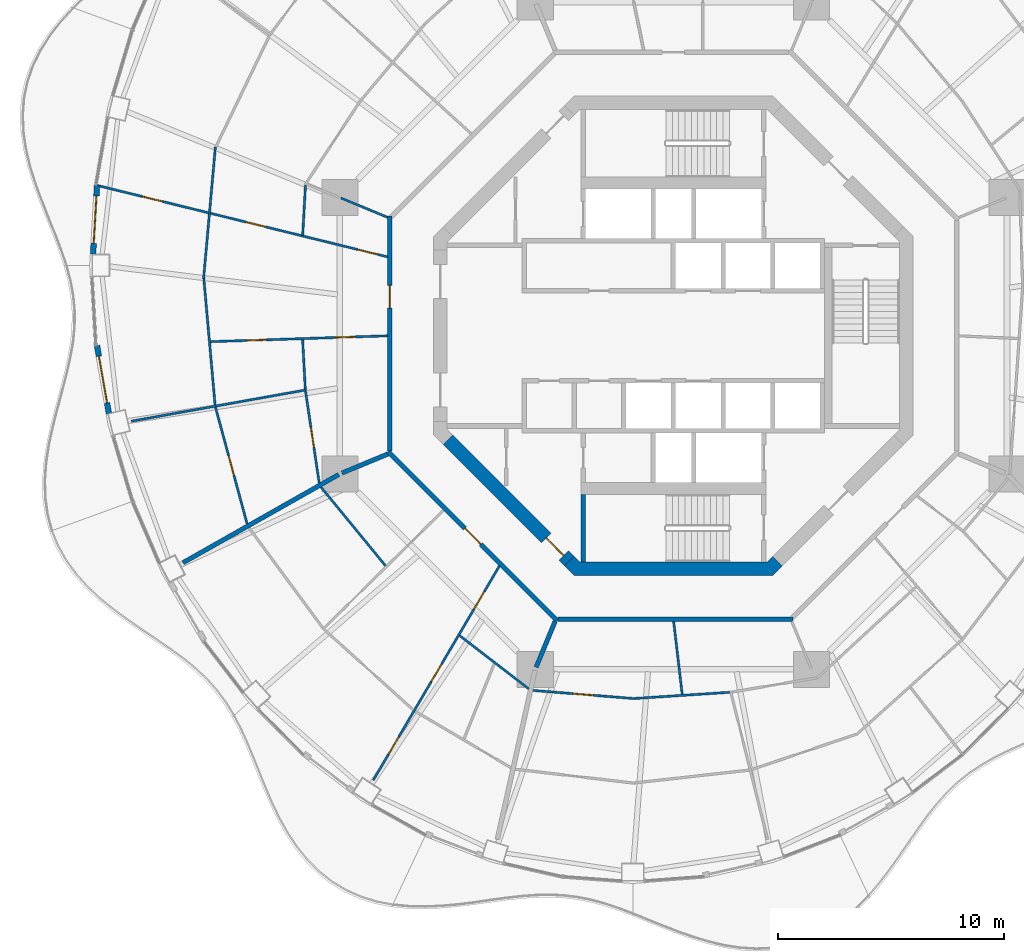
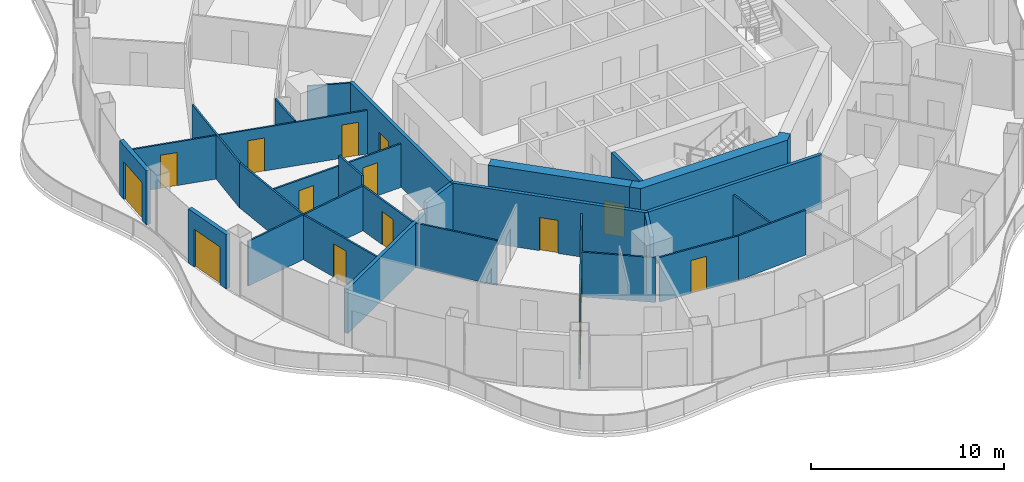
# One storey, part 10 of 18: 27 walls, 16 doors, 16 openings.
"""IFC4 building model written with IfcOpenShell, lengths in metres."""

from ifc_helpers import new_model, si_unit, direction, frame, frame_2d, origin, place, context, subcontext, project, spatial, polyline, rectangle, outline, extrude, material, layer, layer_set, type_object, element, fill, save


model = new_model("IFC4")

# Units and contexts
model_context = context("Model", 3, precision=1e-05, world=origin(), true_north=direction((0.0, 1.0)))
body_context = subcontext(model_context, "Body", "Model", "MODEL_VIEW")
ifc_project = project(units=[si_unit("LENGTHUNIT", "METRE"), si_unit("AREAUNIT", "SQUARE_METRE"), si_unit("VOLUMEUNIT", "CUBIC_METRE"), si_unit("PLANEANGLEUNIT", "RADIAN"), si_unit("MASSUNIT", "GRAM", prefix="KILO")], contexts=[model_context])

# Site, building, storey
site_placement = place(None, origin())
site = spatial("IfcSite", under=ifc_project, at=site_placement, CompositionType="ELEMENT")
building_placement = place(site_placement, origin())
building = spatial("IfcBuilding", under=site, at=building_placement, Name="Nagisa Residences", CompositionType="ELEMENT")
storey_placement = place(building_placement, frame((0.0, 0.0, 238.10009765625)))
storey = spatial("IfcBuildingStorey", under=building, at=storey_placement, Name="L60", CompositionType="ELEMENT", Elevation=238.10009765625)

# Walls
ifc_material_1 = material(Name="Gypsum board on steel studs", Category="steel")
ifc_layer_1 = layer(ifc_material_1, 0.199951171875)
ifc_layer_set_1 = layer_set([ifc_layer_1], Name="Apartment compartment wall EI60 200")
wall_type_1 = type_object("IfcWallType", Name="Apartment compartment wall EI60 200", PredefinedType="PARTITIONING", material=ifc_layer_set_1)
wall_1_placement = place(storey_placement, frame((-12.6572265625, -5.24267578125, 0.0), z_axis=(0.0, 0.0, 1.0), x_axis=(-0.923859888513, -0.38273085373, 0.0)))
element("IfcWall", 1, at=wall_1_placement, inside=storey, type_object=wall_type_1, Name="wall:L60:u02", PredefinedType="PARTITIONING", context=body_context, shape_type="SweptSolid", body=[
    extrude(rectangle(XDim=2.199462890625, YDim=0.199951171875, at=frame_2d((1.099609375, 0.0))), origin(), (0.0, 0.0, 1.0), 3.43994140625),
])
wall_2_placement = place(storey_placement, frame((-14.825439453125, -6.147705078125, 0.0), z_axis=(0.0, 0.0, 1.0), x_axis=(-0.870099576105, -0.492875975944, 0.0)))
element("IfcWall", 2, at=wall_2_placement, inside=storey, type_object=wall_type_1, Name="wall:L60:u03", PredefinedType="PARTITIONING", context=body_context, shape_type="SweptSolid", body=[
    extrude(rectangle(XDim=7.937255859375, YDim=0.199951171875, at=frame_2d((3.96875, 0.0))), origin(), (0.0, 0.0, 1.0), 2.8369140625),
])
wall_3_placement = place(storey_placement, frame((-5.24267578125, -12.6572265625, 0.0), z_axis=(0.0, 0.0, 1.0), x_axis=(-0.382691608661, -0.923876145736, 0.0)))
element("IfcWall", 3, at=wall_3_placement, inside=storey, type_object=wall_type_1, Name="wall:L60:u04", PredefinedType="PARTITIONING", context=body_context, shape_type="SweptSolid", body=[
    extrude(rectangle(XDim=2.19970703125, YDim=0.199951171875, at=frame_2d((1.099853515625, 0.0))), origin(), (0.0, 0.0, 1.0), 3.43994140625),
])

# Wall, opening, door
ifc_material_2 = material(Name="Gypsum board on steel studs", Category="steel")
ifc_layer_2 = layer(ifc_material_2, 0.199951171875)
ifc_layer_set_2 = layer_set([ifc_layer_2], Name="Apartment entry wall EI60 200")
wall_type_2 = type_object("IfcWallType", Name="Apartment entry wall EI60 200", PredefinedType="PARTITIONING", material=ifc_layer_set_2)
wall_4_placement = place(storey_placement, frame((-12.564697265625, 5.304443359375, 0.0), z_axis=(0.0, 0.0, 1.0), x_axis=(0.0, -1.0, 0.0)))
wall_4 = element("IfcWall", 4, at=wall_4_placement, inside=storey, type_object=wall_type_2, Name="wall:L60:u12", PredefinedType="PARTITIONING", context=body_context, shape_type="SweptSolid", body=[
    extrude(rectangle(XDim=10.408935546875, YDim=0.199951171875, at=frame_2d((5.20458984375, 0.0))), origin(), (0.0, 0.0, 1.0), 3.43994140625),
])
opening_1_placement = place(wall_4_placement, frame((3.069580078125, 0.0, 0.0)))
opening_1 = element("IfcOpeningElement", 5, at=opening_1_placement, cuts=wall_4, Name="Opening L60-U40", PredefinedType="OPENING", context=body_context, shape_type="SweptSolid", body=[
    extrude(rectangle(XDim=1.0, YDim=2.10009765625, at=frame_2d((0.5, 1.050048828125))), frame((0.0, 0.10986328125, 0.0), z_axis=(0.0, -1.0, 0.0), x_axis=(1.0, 0.0, 0.0)), (0.0, 0.0, 1.0), 0.219970703125),
])
ifc_material_3 = material(Name="Timber fire door set", Category="wood")
door_type_1 = type_object("IfcDoorType", Name="Apartment entry door FD30S 1000x2100", OperationType="NOTDEFINED", PredefinedType="DOOR", material=ifc_material_3)
door_1_placement = place(opening_1_placement, frame((1.0, 0.0, 0.0), x_axis=(-1.0, 0.0, 0.0)))
door_1 = element("IfcDoor", 6, at=door_1_placement, inside=storey, type_object=door_type_1, Name="Entry door, Apartment 60D", OperationType="SINGLE_SWING_LEFT", OverallHeight=2.10009765625, OverallWidth=1.0, PredefinedType="DOOR", context=body_context, shape_type="SweptSolid", body=[
    extrude(rectangle(XDim=1.0, YDim=2.10009765625, at=frame_2d((0.5, 1.050048828125))), frame((0.0, 0.02490234375, 0.0), z_axis=(0.0, -1.0, 0.0), x_axis=(1.0, 0.0, 0.0)), (0.0, 0.0, 1.0), 0.050048828125),
])
fill(opening_1, door_1)

wall_5_placement = place(storey_placement, frame((-12.635498046875, -5.1337890625, 0.0), z_axis=(0.0, 0.0, 1.0), x_axis=(0.707106781187, -0.707106781187, 0.0)))
wall_5 = element("IfcWall", 7, at=wall_5_placement, inside=storey, type_object=wall_type_2, Name="wall:L60:u13", PredefinedType="PARTITIONING", context=body_context, shape_type="SweptSolid", body=[
    extrude(rectangle(XDim=10.609130859375, YDim=0.199951171875, at=frame_2d((5.3046875, 0.0))), origin(), (0.0, 0.0, 1.0), 3.43994140625),
])
opening_2_placement = place(wall_5_placement, frame((4.804443359375, 0.0, 0.0)))
opening_2 = element("IfcOpeningElement", 8, at=opening_2_placement, cuts=wall_5, Name="Opening L60-U01", PredefinedType="OPENING", context=body_context, shape_type="SweptSolid", body=[
    extrude(rectangle(XDim=1.0, YDim=2.10009765625, at=frame_2d((0.5, 1.050048828125))), frame((0.0, 0.10986328125, 0.0), z_axis=(0.0, -1.0, 0.0), x_axis=(1.0, 0.0, 0.0)), (0.0, 0.0, 1.0), 0.219970703125),
])
door_2_placement = place(opening_2_placement, frame((1.0, 0.0, 0.0), x_axis=(-1.0, 0.0, 0.0)))
door_2 = element("IfcDoor", 9, at=door_2_placement, inside=storey, type_object=door_type_1, Name="Entry door, Apartment 60A", OperationType="SINGLE_SWING_RIGHT", OverallHeight=2.10009765625, OverallWidth=1.0, PredefinedType="DOOR", context=body_context, shape_type="SweptSolid", body=[
    extrude(rectangle(XDim=1.0, YDim=2.10009765625, at=frame_2d((0.5, 1.050048828125))), frame((0.0, 0.02490234375, 0.0), z_axis=(0.0, -1.0, 0.0), x_axis=(1.0, 0.0, 0.0)), (0.0, 0.0, 1.0), 0.050048828125),
])
fill(opening_2, door_2)

# Walls
wall_6_placement = place(storey_placement, frame((-5.1044921875, -12.564697265625, 0.0), z_axis=(0.0, 0.0, 1.0), x_axis=(1.0, 0.0, 0.0)))
element("IfcWall", 10, at=wall_6_placement, inside=storey, type_object=wall_type_2, Name="wall:L60:u14", PredefinedType="PARTITIONING", context=body_context, shape_type="SweptSolid", body=[
    extrude(rectangle(XDim=10.408935546875, YDim=0.199951171875, at=frame_2d((5.20458984375, 0.0))), origin(), (0.0, 0.0, 1.0), 3.43994140625),
])
ifc_material_4 = material(Name="Gypsum board on steel studs", Category="steel")
ifc_layer_3 = layer(ifc_material_4, 0.10009765625)
ifc_layer_set_3 = layer_set([ifc_layer_3], Name="Apartment partition 100")
wall_type_3 = type_object("IfcWallType", Name="Apartment partition 100", PredefinedType="PARTITIONING", material=ifc_layer_set_3)
wall_7_placement = place(storey_placement, frame((-12.6572265625, 5.24267578125, 0.0), z_axis=(0.0, 0.0, 1.0), x_axis=(-0.923864733477, 0.382719158442, 0.0)))
element("IfcWall", 11, at=wall_7_placement, inside=storey, type_object=wall_type_3, Name="wall:L60:u54", PredefinedType="PARTITIONING", context=body_context, shape_type="SweptSolid", body=[
    extrude(rectangle(XDim=2.25, YDim=0.10009765625, at=frame_2d((1.125, 0.0))), origin(), (0.0, 0.0, 1.0), 3.43994140625),
])
wall_8_placement = place(storey_placement, frame((-16.30419921875, 6.67724609375, 0.0), z_axis=(0.0, 0.0, 1.0), x_axis=(-0.055638870195, -0.998450958297, 0.0)))
element("IfcWall", 12, at=wall_8_placement, inside=storey, type_object=wall_type_3, Name="wall:L60:u56", PredefinedType="PARTITIONING", context=body_context, shape_type="SweptSolid", body=[
    extrude(rectangle(XDim=2.2421875, YDim=0.10009765625, at=frame_2d((1.12109375, 0.0))), origin(), (0.0, 0.0, 1.0), 2.8369140625),
])
wall_9_placement = place(storey_placement, frame((-20.296142578125, 8.36767578125, 0.0), z_axis=(0.0, 0.0, 1.0), x_axis=(-0.08928986402, -0.996005682807, 0.0)))
element("IfcWall", 13, at=wall_9_placement, inside=storey, type_object=wall_type_3, Name="wall:L60:u57", PredefinedType="PARTITIONING", context=body_context, shape_type="SweptSolid", body=[
    extrude(rectangle(XDim=5.8486328125, YDim=0.10009765625, at=frame_2d((2.92431640625, 0.0))), origin(), (0.0, 0.0, 1.0), 2.8369140625),
])

# Wall, openings, doors
wall_10_placement = place(storey_placement, frame((-12.661865234375, 3.49365234375, 0.0), z_axis=(0.0, 0.0, 1.0), x_axis=(-0.971037272035, 0.238928056784, 0.0)))
wall_10 = element("IfcWall", 14, at=wall_10_placement, inside=storey, type_object=wall_type_3, Name="wall:L60:u58", PredefinedType="PARTITIONING", context=body_context, shape_type="SweptSolid", body=[
    extrude(rectangle(XDim=13.35009765625, YDim=0.10009765625, at=frame_2d((6.675048828125, 0.0))), origin(), (0.0, 0.0, 1.0), 2.761962890625),
])
opening_3_placement = place(wall_10_placement, frame((0.464111328125, 0.0, 0.0)))
opening_3 = element("IfcOpeningElement", 15, at=opening_3_placement, cuts=wall_10, Name="Opening L60-U41", PredefinedType="OPENING", context=body_context, shape_type="SweptSolid", body=[
    extrude(rectangle(XDim=0.89990234375, YDim=2.10009765625, at=frame_2d((0.449951171875, 1.050048828125))), frame((0.0, 0.06005859375, 0.0), z_axis=(0.0, -1.0, 0.0), x_axis=(1.0, 0.0, 0.0)), (0.0, 0.0, 1.0), 0.1201171875),
])
opening_4_placement = place(wall_10_placement, frame((5.5595703125, 0.0, 0.0)))
opening_4 = element("IfcOpeningElement", 16, at=opening_4_placement, cuts=wall_10, Name="Opening L60-U43", PredefinedType="OPENING", context=body_context, shape_type="SweptSolid", body=[
    extrude(rectangle(XDim=0.89990234375, YDim=2.10009765625, at=frame_2d((0.449951171875, 1.050048828125))), frame((0.0, 0.06005859375, 0.0), z_axis=(0.0, -1.0, 0.0), x_axis=(1.0, 0.0, 0.0)), (0.0, 0.0, 1.0), 0.1201171875),
])
opening_5_placement = place(wall_10_placement, frame((10.292724609375, 0.0, 0.0)))
opening_5 = element("IfcOpeningElement", 17, at=opening_5_placement, cuts=wall_10, Name="Opening L60-U48", PredefinedType="OPENING", context=body_context, shape_type="SweptSolid", body=[
    extrude(rectangle(XDim=0.89990234375, YDim=2.10009765625, at=frame_2d((0.449951171875, 1.050048828125))), frame((0.0, 0.06005859375, 0.0), z_axis=(0.0, -1.0, 0.0), x_axis=(1.0, 0.0, 0.0)), (0.0, 0.0, 1.0), 0.1201171875),
])
ifc_material_5 = material(Name="Timber door set", Category="wood")
door_type_2 = type_object("IfcDoorType", Name="Apartment door 900x2100", OperationType="NOTDEFINED", PredefinedType="DOOR", material=ifc_material_5)
door_3_placement = place(opening_3_placement, frame((0.89990234375, 0.0, 0.0), x_axis=(-1.0, 0.0, 0.0)))
door_3 = element("IfcDoor", 18, at=door_3_placement, inside=storey, type_object=door_type_2, Name="Door to family bathroom, Apartment 60D", OperationType="SINGLE_SWING_RIGHT", OverallHeight=2.10009765625, OverallWidth=0.89990234375, PredefinedType="DOOR", context=body_context, shape_type="SweptSolid", body=[
    extrude(rectangle(XDim=0.89990234375, YDim=2.10009765625, at=frame_2d((0.449951171875, 1.050048828125))), frame((0.0, 0.02490234375, 0.0), z_axis=(0.0, -1.0, 0.0), x_axis=(1.0, 0.0, 0.0)), (0.0, 0.0, 1.0), 0.050048828125),
])
fill(opening_3, door_3)
door_4_placement = place(opening_4_placement, frame((0.89990234375, 0.0, 0.0), x_axis=(-1.0, 0.0, 0.0)))
door_4 = element("IfcDoor", 19, at=door_4_placement, inside=storey, type_object=door_type_2, Name="Door to dining room, Apartment 60D", OperationType="SINGLE_SWING_RIGHT", OverallHeight=2.10009765625, OverallWidth=0.89990234375, PredefinedType="DOOR", context=body_context, shape_type="SweptSolid", body=[
    extrude(rectangle(XDim=0.89990234375, YDim=2.10009765625, at=frame_2d((0.449951171875, 1.050048828125))), frame((0.0, 0.02490234375, 0.0), z_axis=(0.0, -1.0, 0.0), x_axis=(1.0, 0.0, 0.0)), (0.0, 0.0, 1.0), 0.050048828125),
])
fill(opening_4, door_4)
door_5_placement = place(opening_5_placement, origin())
door_5 = element("IfcDoor", 20, at=door_5_placement, inside=storey, type_object=door_type_2, Name="Door to master bedroom, Apartment 60D", OperationType="SINGLE_SWING_RIGHT", OverallHeight=2.10009765625, OverallWidth=0.89990234375, PredefinedType="DOOR", context=body_context, shape_type="SweptSolid", body=[
    extrude(rectangle(XDim=0.89990234375, YDim=2.10009765625, at=frame_2d((0.449951171875, 1.050048828125))), frame((0.0, 0.02490234375, 0.0), z_axis=(0.0, -1.0, 0.0), x_axis=(1.0, 0.0, 0.0)), (0.0, 0.0, 1.0), 0.050048828125),
])
fill(opening_5, door_5)

# Wall
wall_11_placement = place(storey_placement, frame((-20.8095703125, 2.54248046875, 0.0), z_axis=(0.0, 0.0, 1.0), x_axis=(0.088621920298, -0.996065336834, 0.0)))
element("IfcWall", 21, at=wall_11_placement, inside=storey, type_object=wall_type_3, Name="wall:L60:u59", PredefinedType="PARTITIONING", context=body_context, shape_type="SweptSolid", body=[
    extrude(rectangle(XDim=5.636474609375, YDim=0.10009765625, at=frame_2d((2.818359375, 0.0))), origin(), (0.0, 0.0, 1.0), 2.8369140625),
])

# Wall, openings, doors
wall_12_placement = place(storey_placement, frame((-12.664794921875, -0.00341796875, 0.0), z_axis=(0.0, 0.0, 1.0), x_axis=(-0.999453263957, -0.033063169315, 0.0)))
wall_12 = element("IfcWall", 22, at=wall_12_placement, inside=storey, type_object=wall_type_3, Name="wall:L60:u60", PredefinedType="PARTITIONING", context=body_context, shape_type="SweptSolid", body=[
    extrude(rectangle(XDim=7.849365234375, YDim=0.10009765625, at=frame_2d((3.9248046875, 0.0))), origin(), (0.0, 0.0, 1.0), 2.761962890625),
])
opening_6_placement = place(wall_12_placement, frame((1.435302734375, 0.0, 0.0)))
opening_6 = element("IfcOpeningElement", 23, at=opening_6_placement, cuts=wall_12, Name="Opening L60-U42", PredefinedType="OPENING", context=body_context, shape_type="SweptSolid", body=[
    extrude(rectangle(XDim=0.89990234375, YDim=2.10009765625, at=frame_2d((0.449951171875, 1.050048828125))), frame((0.0, 0.06005859375, 0.0), z_axis=(0.0, -1.0, 0.0), x_axis=(1.0, 0.0, 0.0)), (0.0, 0.0, 1.0), 0.1201171875),
])
opening_7_placement = place(wall_12_placement, frame((5.360107421875, 0.0, 0.0)))
opening_7 = element("IfcOpeningElement", 24, at=opening_7_placement, cuts=wall_12, Name="Opening L60-U44", PredefinedType="OPENING", context=body_context, shape_type="SweptSolid", body=[
    extrude(rectangle(XDim=0.89990234375, YDim=2.10009765625, at=frame_2d((0.449951171875, 1.050048828125))), frame((0.0, 0.06005859375, 0.0), z_axis=(0.0, -1.0, 0.0), x_axis=(1.0, 0.0, 0.0)), (0.0, 0.0, 1.0), 0.1201171875),
])
door_6_placement = place(opening_6_placement, origin())
door_6 = element("IfcDoor", 25, at=door_6_placement, inside=storey, type_object=door_type_2, Name="Door to laundry, Apartment 60D", OperationType="SINGLE_SWING_RIGHT", OverallHeight=2.10009765625, OverallWidth=0.89990234375, PredefinedType="DOOR", context=body_context, shape_type="SweptSolid", body=[
    extrude(rectangle(XDim=0.89990234375, YDim=2.10009765625, at=frame_2d((0.449951171875, 1.050048828125))), frame((0.0, 0.02490234375, 0.0), z_axis=(0.0, -1.0, 0.0), x_axis=(1.0, 0.0, 0.0)), (0.0, 0.0, 1.0), 0.050048828125),
])
fill(opening_6, door_6)
door_7_placement = place(opening_7_placement, origin())
door_7 = element("IfcDoor", 26, at=door_7_placement, inside=storey, type_object=door_type_2, Name="Door to family bathroom, Apartment 60D", OperationType="SINGLE_SWING_RIGHT", OverallHeight=2.10009765625, OverallWidth=0.89990234375, PredefinedType="DOOR", context=body_context, shape_type="SweptSolid", body=[
    extrude(rectangle(XDim=0.89990234375, YDim=2.10009765625, at=frame_2d((0.449951171875, 1.050048828125))), frame((0.0, 0.02490234375, 0.0), z_axis=(0.0, -1.0, 0.0), x_axis=(1.0, 0.0, 0.0)), (0.0, 0.0, 1.0), 0.050048828125),
])
fill(opening_7, door_7)

# Walls
wall_13_placement = place(storey_placement, frame((-16.4306640625, -0.177978515625, 0.0), z_axis=(0.0, 0.0, 1.0), x_axis=(0.053951127036, -0.998543577362, 0.0)))
element("IfcWall", 27, at=wall_13_placement, inside=storey, type_object=wall_type_3, Name="wall:L60:u61", PredefinedType="PARTITIONING", context=body_context, shape_type="SweptSolid", body=[
    extrude(rectangle(XDim=2.18115234375, YDim=0.10009765625, at=frame_2d((1.090576171875, 0.0))), origin(), (0.0, 0.0, 1.0), 3.43994140625),
])
wall_14_placement = place(storey_placement, frame((-16.260986328125, -2.39697265625, 0.0), z_axis=(0.0, 0.0, 1.0), x_axis=(-0.984329983721, -0.17633627859, 0.0)))
element("IfcWall", 28, at=wall_14_placement, inside=storey, type_object=wall_type_3, Name="wall:L60:u62", PredefinedType="PARTITIONING", context=body_context, shape_type="SweptSolid", body=[
    extrude(rectangle(XDim=7.882080078125, YDim=0.10009765625, at=frame_2d((3.94091796875, 0.0))), origin(), (0.0, 0.0, 1.0), 2.8369140625),
])

# Wall, opening, door
wall_15_placement = place(storey_placement, frame((-16.302978515625, -2.455322265625, 0.0), z_axis=(0.0, 0.0, 1.0), x_axis=(0.147711951447, -0.9890304239, 0.0)))
wall_15 = element("IfcWall", 29, at=wall_15_placement, inside=storey, type_object=wall_type_3, Name="wall:L60:u63", PredefinedType="PARTITIONING", context=body_context, shape_type="SweptSolid", body=[
    extrude(rectangle(XDim=4.1220703125, YDim=0.10009765625, at=frame_2d((2.06103515625, 0.0))), origin(), (0.0, 0.0, 1.0), 2.8369140625),
])
opening_8_placement = place(wall_15_placement, frame((1.611083984375, 0.0, 0.0)))
opening_8 = element("IfcOpeningElement", 30, at=opening_8_placement, cuts=wall_15, Name="Opening L60-U45", PredefinedType="OPENING", context=body_context, shape_type="SweptSolid", body=[
    extrude(rectangle(XDim=0.89990234375, YDim=2.10009765625, at=frame_2d((0.449951171875, 1.050048828125))), frame((0.0, 0.06005859375, 0.0), z_axis=(0.0, -1.0, 0.0), x_axis=(1.0, 0.0, 0.0)), (0.0, 0.0, 1.0), 0.1201171875),
])
door_8_placement = place(opening_8_placement, frame((0.89990234375, 0.0, 0.0), x_axis=(-1.0, 0.0, 0.0)))
door_8 = element("IfcDoor", 31, at=door_8_placement, inside=storey, type_object=door_type_2, Name="Door to family room, Apartment 60D", OperationType="SINGLE_SWING_RIGHT", OverallHeight=2.10009765625, OverallWidth=0.89990234375, PredefinedType="DOOR", context=body_context, shape_type="SweptSolid", body=[
    extrude(rectangle(XDim=0.89990234375, YDim=2.10009765625, at=frame_2d((0.449951171875, 1.050048828125))), frame((0.0, 0.02490234375, 0.0), z_axis=(0.0, -1.0, 0.0), x_axis=(1.0, 0.0, 0.0)), (0.0, 0.0, 1.0), 0.050048828125),
])
fill(opening_8, door_8)

wall_16_placement = place(storey_placement, frame((-20.29248046875, -3.169677734375, 0.0), z_axis=(0.0, 0.0, 1.0), x_axis=(0.26187906236, -0.965100697698, 0.0)))
wall_16 = element("IfcWall", 32, at=wall_16_placement, inside=storey, type_object=wall_type_3, Name="wall:L60:u64", PredefinedType="PARTITIONING", context=body_context, shape_type="SweptSolid", body=[
    extrude(rectangle(XDim=5.35595703125, YDim=0.10009765625, at=frame_2d((2.677978515625, 0.0))), origin(), (0.0, 0.0, 1.0), 2.8369140625),
])
opening_9_placement = place(wall_16_placement, frame((2.227783203125, 0.0, 0.0)))
opening_9 = element("IfcOpeningElement", 33, at=opening_9_placement, cuts=wall_16, Name="Opening L60-U49", PredefinedType="OPENING", context=body_context, shape_type="SweptSolid", body=[
    extrude(rectangle(XDim=0.89990234375, YDim=2.10009765625, at=frame_2d((0.449951171875, 1.050048828125))), frame((0.0, 0.06005859375, 0.0), z_axis=(0.0, -1.0, 0.0), x_axis=(1.0, 0.0, 0.0)), (0.0, 0.0, 1.0), 0.1201171875),
])
door_9_placement = place(opening_9_placement, frame((0.89990234375, 0.0, 0.0), x_axis=(-1.0, 0.0, 0.0)))
door_9 = element("IfcDoor", 34, at=door_9_placement, inside=storey, type_object=door_type_2, Name="Door to bedroom, Apartment 60D", OperationType="SINGLE_SWING_RIGHT", OverallHeight=2.10009765625, OverallWidth=0.89990234375, PredefinedType="DOOR", context=body_context, shape_type="SweptSolid", body=[
    extrude(rectangle(XDim=0.89990234375, YDim=2.10009765625, at=frame_2d((0.449951171875, 1.050048828125))), frame((0.0, 0.02490234375, 0.0), z_axis=(0.0, -1.0, 0.0), x_axis=(1.0, 0.0, 0.0)), (0.0, 0.0, 1.0), 0.050048828125),
])
fill(opening_9, door_9)

# Wall
wall_17_placement = place(storey_placement, frame((-15.615966796875, -6.70849609375, 0.0), z_axis=(0.0, 0.0, 1.0), x_axis=(0.634074410447, -0.77327203623, 0.0)))
element("IfcWall", 35, at=wall_17_placement, inside=storey, type_object=wall_type_3, Name="wall:L60:u65", PredefinedType="PARTITIONING", context=body_context, shape_type="SweptSolid", body=[
    extrude(rectangle(XDim=4.510986328125, YDim=0.10009765625, at=frame_2d((2.25537109375, 0.0))), origin(), (0.0, 0.0, 1.0), 2.8369140625),
])

# Wall, openings, doors
wall_18_placement = place(storey_placement, frame((-7.708740234375, -10.197509765625, 0.0), z_axis=(0.0, 0.0, 1.0), x_axis=(-0.507355901053, -0.8617366127, 0.0)))
wall_18 = element("IfcWall", 36, at=wall_18_placement, inside=storey, type_object=wall_type_3, Name="wall:L60:u69", PredefinedType="PARTITIONING", context=body_context, shape_type="SweptSolid", body=[
    extrude(rectangle(XDim=11.02490234375, YDim=0.10009765625, at=frame_2d((5.512451171875, 0.0))), origin(), (0.0, 0.0, 1.0), 2.761962890625),
])
opening_10_placement = place(wall_18_placement, frame((1.326171875, 0.0, 0.0)))
opening_10 = element("IfcOpeningElement", 37, at=opening_10_placement, cuts=wall_18, Name="Opening L60-U03", PredefinedType="OPENING", context=body_context, shape_type="SweptSolid", body=[
    extrude(rectangle(XDim=0.89990234375, YDim=2.10009765625, at=frame_2d((0.449951171875, 1.050048828125))), frame((0.0, 0.06005859375, 0.0), z_axis=(0.0, -1.0, 0.0), x_axis=(1.0, 0.0, 0.0)), (0.0, 0.0, 1.0), 0.1201171875),
])
opening_11_placement = place(wall_18_placement, frame((5.05029296875, 0.0, 0.0)))
opening_11 = element("IfcOpeningElement", 38, at=opening_11_placement, cuts=wall_18, Name="Opening L60-U05", PredefinedType="OPENING", context=body_context, shape_type="SweptSolid", body=[
    extrude(rectangle(XDim=0.89990234375, YDim=2.10009765625, at=frame_2d((0.449951171875, 1.050048828125))), frame((0.0, 0.06005859375, 0.0), z_axis=(0.0, -1.0, 0.0), x_axis=(1.0, 0.0, 0.0)), (0.0, 0.0, 1.0), 0.1201171875),
])
opening_12_placement = place(wall_18_placement, frame((8.78662109375, 0.0, 0.0)))
opening_12 = element("IfcOpeningElement", 39, at=opening_12_placement, cuts=wall_18, Name="Opening L60-U07", PredefinedType="OPENING", context=body_context, shape_type="SweptSolid", body=[
    extrude(rectangle(XDim=0.89990234375, YDim=2.10009765625, at=frame_2d((0.449951171875, 1.050048828125))), frame((0.0, 0.06005859375, 0.0), z_axis=(0.0, -1.0, 0.0), x_axis=(1.0, 0.0, 0.0)), (0.0, 0.0, 1.0), 0.1201171875),
])
door_10_placement = place(opening_10_placement, origin())
door_10 = element("IfcDoor", 40, at=door_10_placement, inside=storey, type_object=door_type_2, Name="Door to store, Apartment 60A", OperationType="SINGLE_SWING_LEFT", OverallHeight=2.10009765625, OverallWidth=0.89990234375, PredefinedType="DOOR", context=body_context, shape_type="SweptSolid", body=[
    extrude(rectangle(XDim=0.89990234375, YDim=2.10009765625, at=frame_2d((0.449951171875, 1.050048828125))), frame((0.0, 0.02490234375, 0.0), z_axis=(0.0, -1.0, 0.0), x_axis=(1.0, 0.0, 0.0)), (0.0, 0.0, 1.0), 0.050048828125),
])
fill(opening_10, door_10)
door_11_placement = place(opening_11_placement, origin())
door_11 = element("IfcDoor", 41, at=door_11_placement, inside=storey, type_object=door_type_2, Name="Door to family bathroom, Apartment 60A", OperationType="SINGLE_SWING_LEFT", OverallHeight=2.10009765625, OverallWidth=0.89990234375, PredefinedType="DOOR", context=body_context, shape_type="SweptSolid", body=[
    extrude(rectangle(XDim=0.89990234375, YDim=2.10009765625, at=frame_2d((0.449951171875, 1.050048828125))), frame((0.0, 0.02490234375, 0.0), z_axis=(0.0, -1.0, 0.0), x_axis=(1.0, 0.0, 0.0)), (0.0, 0.0, 1.0), 0.050048828125),
])
fill(opening_11, door_11)
door_12_placement = place(opening_12_placement, origin())
door_12 = element("IfcDoor", 42, at=door_12_placement, inside=storey, type_object=door_type_2, Name="Door to bedroom, Apartment 60A", OperationType="SINGLE_SWING_LEFT", OverallHeight=2.10009765625, OverallWidth=0.89990234375, PredefinedType="DOOR", context=body_context, shape_type="SweptSolid", body=[
    extrude(rectangle(XDim=0.89990234375, YDim=2.10009765625, at=frame_2d((0.449951171875, 1.050048828125))), frame((0.0, 0.02490234375, 0.0), z_axis=(0.0, -1.0, 0.0), x_axis=(1.0, 0.0, 0.0)), (0.0, 0.0, 1.0), 0.050048828125),
])
fill(opening_12, door_12)

# Wall
wall_19_placement = place(storey_placement, frame((-9.471435546875, -13.289306640625, 0.0), z_axis=(0.0, 0.0, 1.0), x_axis=(0.792227074489, -0.610226402614, 0.0)))
element("IfcWall", 43, at=wall_19_placement, inside=storey, type_object=wall_type_3, Name="wall:L60:u70", PredefinedType="PARTITIONING", context=body_context, shape_type="SweptSolid", body=[
    extrude(rectangle(XDim=3.865966796875, YDim=0.10009765625, at=frame_2d((1.93310546875, 0.0))), origin(), (0.0, 0.0, 1.0), 2.8369140625),
])

# Wall, opening, door
wall_20_placement = place(storey_placement, frame((-6.22998046875, -15.71728515625, 0.0), z_axis=(0.0, 0.0, 1.0), x_axis=(0.996784770134, -0.080125663978, 0.0)))
wall_20 = element("IfcWall", 44, at=wall_20_placement, inside=storey, type_object=wall_type_3, Name="wall:L60:u73", PredefinedType="PARTITIONING", context=body_context, shape_type="SweptSolid", body=[
    extrude(rectangle(XDim=4.5400390625, YDim=0.10009765625, at=frame_2d((2.27001953125, 0.0))), origin(), (0.0, 0.0, 1.0), 2.8369140625),
])
opening_13_placement = place(wall_20_placement, frame((1.794921875, 0.0, 0.0)))
opening_13 = element("IfcOpeningElement", 45, at=opening_13_placement, cuts=wall_20, Name="Opening L60-U19", PredefinedType="OPENING", context=body_context, shape_type="SweptSolid", body=[
    extrude(rectangle(XDim=0.89990234375, YDim=2.10009765625, at=frame_2d((0.449951171875, 1.050048828125))), frame((0.0, 0.06005859375, 0.0), z_axis=(0.0, -1.0, 0.0), x_axis=(1.0, 0.0, 0.0)), (0.0, 0.0, 1.0), 0.1201171875),
])
door_13_placement = place(opening_13_placement, origin())
door_13 = element("IfcDoor", 46, at=door_13_placement, inside=storey, type_object=door_type_2, Name="Door to store, Apartment 60B", OperationType="SINGLE_SWING_LEFT", OverallHeight=2.10009765625, OverallWidth=0.89990234375, PredefinedType="DOOR", context=body_context, shape_type="SweptSolid", body=[
    extrude(rectangle(XDim=0.89990234375, YDim=2.10009765625, at=frame_2d((0.449951171875, 1.050048828125))), frame((0.0, 0.02490234375, 0.0), z_axis=(0.0, -1.0, 0.0), x_axis=(1.0, 0.0, 0.0)), (0.0, 0.0, 1.0), 0.050048828125),
])
fill(opening_13, door_13)

# Walls
wall_21_placement = place(storey_placement, frame((-1.70458984375, -16.07373046875, 0.0), z_axis=(0.0, 0.0, 1.0), x_axis=(0.997885428049, 0.064997480629, 0.0)))
element("IfcWall", 47, at=wall_21_placement, inside=storey, type_object=wall_type_3, Name="wall:L60:u75", PredefinedType="PARTITIONING", context=body_context, shape_type="SweptSolid", body=[
    extrude(rectangle(XDim=4.206787109375, YDim=0.10009765625, at=frame_2d((2.103515625, 0.0))), origin(), (0.0, 0.0, 1.0), 2.8369140625),
])
wall_22_placement = place(storey_placement, frame((0.01171875, -12.6640625, 0.0), z_axis=(0.0, 0.0, 1.0), x_axis=(0.116151589236, -0.993231497848, 0.0)))
element("IfcWall", 48, at=wall_22_placement, inside=storey, type_object=wall_type_3, Name="wall:L60:u77", PredefinedType="PARTITIONING", context=body_context, shape_type="SweptSolid", body=[
    extrude(rectangle(XDim=3.245361328125, YDim=0.10009765625, at=frame_2d((1.62255859375, 0.0))), origin(), (0.0, 0.0, 1.0), 2.761962890625),
])

# Wall, opening, door
ifc_material_6 = material(Name="Precast concrete C40/50", Category="concrete")
ifc_layer_4 = layer(ifc_material_6, 0.25)
ifc_layer_set_4 = layer_set([ifc_layer_4], Name="BALCONY DOOR WALL 250")
wall_type_4 = type_object("IfcWallType", Name="BALCONY DOOR WALL 250", PredefinedType="SOLIDWALL", material=ifc_layer_set_4)
wall_23_placement = place(storey_placement, frame((-25.716552734375, 3.609619140625, 0.0), z_axis=(0.0, 0.0, 1.0), x_axis=(0.057528189427, 0.998343882348, 0.0)))
wall_23 = element("IfcWall", 49, at=wall_23_placement, inside=storey, type_object=wall_type_4, Name="wall:L60:bay23", PredefinedType="SOLIDWALL", context=body_context, shape_type="SweptSolid", body=[
    extrude(rectangle(XDim=3.0810546875, YDim=0.25, at=frame_2d((1.54052734375, 0.0))), origin(), (0.0, 0.0, 1.0), 3.43994140625),
])
opening_14_placement = place(wall_23_placement, frame((0.490478515625, 0.0, 0.0)))
opening_14 = element("IfcOpeningElement", 50, at=opening_14_placement, cuts=wall_23, Name="Opening BD-L60-08", PredefinedType="OPENING", context=body_context, shape_type="SweptSolid", body=[
    extrude(rectangle(XDim=2.10009765625, YDim=2.39990234375, at=frame_2d((1.050048828125, 1.199951171875))), frame((0.0, 0.135009765625, 0.0), z_axis=(0.0, -1.0, 0.0), x_axis=(1.0, 0.0, 0.0)), (0.0, 0.0, 1.0), 0.27001953125),
])
ifc_material_7 = material(Name="Aluminium and clear glass", Category="aluminium")
door_type_3 = type_object("IfcDoorType", Name="BALCONY SLIDING DOOR 2100x2400", OperationType="SLIDING_TO_LEFT", PredefinedType="DOOR", material=ifc_material_7)
door_14_placement = place(opening_14_placement, origin())
door_14 = element("IfcDoor", 51, at=door_14_placement, inside=storey, type_object=door_type_3, Name="door:L60:bay23", OperationType="SLIDING_TO_LEFT", OverallHeight=2.39990234375, OverallWidth=2.10009765625, PredefinedType="DOOR", context=body_context, shape_type="SweptSolid", body=[
    extrude(rectangle(XDim=2.10009765625, YDim=2.39990234375, at=frame_2d((1.050048828125, 1.199951171875))), frame((0.0, 0.02490234375, 0.0), z_axis=(0.0, -1.0, 0.0), x_axis=(1.0, 0.0, 0.0)), (0.0, 0.0, 1.0), 0.050048828125),
])
fill(opening_14, door_14)

wall_24_placement = place(storey_placement, frame((-25.0126953125, -3.457275390625, 0.0), z_axis=(0.0, 0.0, 1.0), x_axis=(-0.172241318156, 0.985054784426, 0.0)))
wall_24 = element("IfcWall", 52, at=wall_24_placement, inside=storey, type_object=wall_type_4, Name="wall:L60:bay25", PredefinedType="SOLIDWALL", context=body_context, shape_type="SweptSolid", body=[
    extrude(rectangle(XDim=3.0673828125, YDim=0.25, at=frame_2d((1.53369140625, 0.0))), origin(), (0.0, 0.0, 1.0), 3.43994140625),
])
opening_15_placement = place(wall_24_placement, frame((0.483642578125, 0.0, 0.0)))
opening_15 = element("IfcOpeningElement", 53, at=opening_15_placement, cuts=wall_24, Name="Opening BD-L60-09", PredefinedType="OPENING", context=body_context, shape_type="SweptSolid", body=[
    extrude(rectangle(XDim=2.10009765625, YDim=2.39990234375, at=frame_2d((1.050048828125, 1.199951171875))), frame((0.0, 0.135009765625, 0.0), z_axis=(0.0, -1.0, 0.0), x_axis=(1.0, 0.0, 0.0)), (0.0, 0.0, 1.0), 0.27001953125),
])
door_15_placement = place(opening_15_placement, origin())
door_15 = element("IfcDoor", 54, at=door_15_placement, inside=storey, type_object=door_type_3, Name="door:L60:bay25", OperationType="SLIDING_TO_LEFT", OverallHeight=2.39990234375, OverallWidth=2.10009765625, PredefinedType="DOOR", context=body_context, shape_type="SweptSolid", body=[
    extrude(rectangle(XDim=2.10009765625, YDim=2.39990234375, at=frame_2d((1.050048828125, 1.199951171875))), frame((0.0, 0.02490234375, 0.0), z_axis=(0.0, -1.0, 0.0), x_axis=(1.0, 0.0, 0.0)), (0.0, 0.0, 1.0), 0.050048828125),
])
fill(opening_15, door_15)

ifc_material_8 = material(Name="Concrete C60", Category="concrete")
ifc_layer_5 = layer(ifc_material_8, 0.60009765625)
ifc_layer_set_5 = layer_set([ifc_layer_5], Name="Core shear wall 600")
wall_type_5 = type_object("IfcWallType", Name="Core shear wall 600", PredefinedType="SHEAR", material=ifc_layer_set_5)
wall_25_placement = place(storey_placement, frame((-9.98828125, -4.613037109375, 0.0), z_axis=(0.0, 0.0, 1.0), x_axis=(0.707106781187, -0.707106781187, 0.0)))
wall_25 = element("IfcWall", 55, at=wall_25_placement, inside=storey, type_object=wall_type_5, Name="wall:L60:core:flat5", PredefinedType="SHEAR", context=body_context, shape_type="SweptSolid", body=[
    extrude(rectangle(XDim=7.601806640625, YDim=0.60009765625, at=frame_2d((3.80078125, 0.0))), origin(), (0.0, 0.0, 1.0), 3.43994140625),
])
opening_16_placement = place(wall_25_placement, frame((6.15087890625, 0.0, 0.0)))
opening_16 = element("IfcOpeningElement", 56, at=opening_16_placement, cuts=wall_25, Name="Opening L60-C22", PredefinedType="OPENING", context=body_context, shape_type="SweptSolid", body=[
    extrude(rectangle(XDim=1.10009765625, YDim=2.10009765625, at=frame_2d((0.550048828125, 1.050048828125))), frame((0.0, 0.31005859375, 0.0), z_axis=(0.0, -1.0, 0.0), x_axis=(1.0, 0.0, 0.0)), (0.0, 0.0, 1.0), 0.6201171875),
])
ifc_material_9 = material(Name="Steel fire door", Category="steel")
door_type_4 = type_object("IfcDoorType", Name="Fire door EI60 1100x2100 single swing", OperationType="NOTDEFINED", PredefinedType="DOOR", material=ifc_material_9)
door_16_placement = place(opening_16_placement, origin())
door_16 = element("IfcDoor", 57, at=door_16_placement, inside=storey, type_object=door_type_4, Name="Housekeeping lobby door L60", OperationType="SINGLE_SWING_LEFT", OverallHeight=2.10009765625, OverallWidth=1.10009765625, PredefinedType="DOOR", context=body_context, shape_type="SweptSolid", body=[
    extrude(rectangle(XDim=1.10009765625, YDim=2.10009765625, at=frame_2d((0.550048828125, 1.050048828125))), frame((0.0, 0.02490234375, 0.0), z_axis=(0.0, -1.0, 0.0), x_axis=(1.0, 0.0, 0.0)), (0.0, 0.0, 1.0), 0.050048828125),
])
fill(opening_16, door_16)

# Walls
wall_26_placement = place(storey_placement, origin())
element("IfcWall", 58, at=wall_26_placement, inside=storey, type_object=wall_type_5, Name="wall:L60:core:flat6", PredefinedType="SHEAR", context=body_context, shape_type="SweptSolid", body=[
    extrude(outline(polyline([(-4.15234375, -10.024658203125), (4.15234375, -10.024658203125), (4.40087890625, -9.776123046875), (4.8251953125, -10.200439453125), (4.40087890625, -10.62451171875), (-4.40087890625, -10.62451171875), (-4.8251953125, -10.200439453125), (-4.40087890625, -9.776123046875), (-4.15234375, -10.024658203125)])), origin(), (0.0, 0.0, 1.0), 3.43994140625),
])
ifc_material_10 = material(Name="Concrete C60", Category="concrete")
ifc_layer_6 = layer(ifc_material_10, 0.199951171875)
ifc_layer_set_6 = layer_set([ifc_layer_6], Name="Stair enclosure wall 200")
wall_type_6 = type_object("IfcWallType", Name="Stair enclosure wall 200", PredefinedType="SOLIDWALL", material=ifc_layer_set_6)
wall_27_placement = place(storey_placement, origin())
element("IfcWall", 59, at=wall_27_placement, inside=storey, type_object=wall_type_6, Name="wall:L60:SS_w", PredefinedType="SOLIDWALL", context=body_context, shape_type="SweptSolid", body=[
    extrude(outline(polyline([(-3.89990234375, -10.024658203125), (-4.10009765625, -10.024658203125), (-4.10009765625, -7.024658203125), (-3.89990234375, -7.024658203125), (-3.89990234375, -10.024658203125)])), origin(), (0.0, 0.0, 1.0), 3.43994140625),
])

save(model, "model.ifc")
